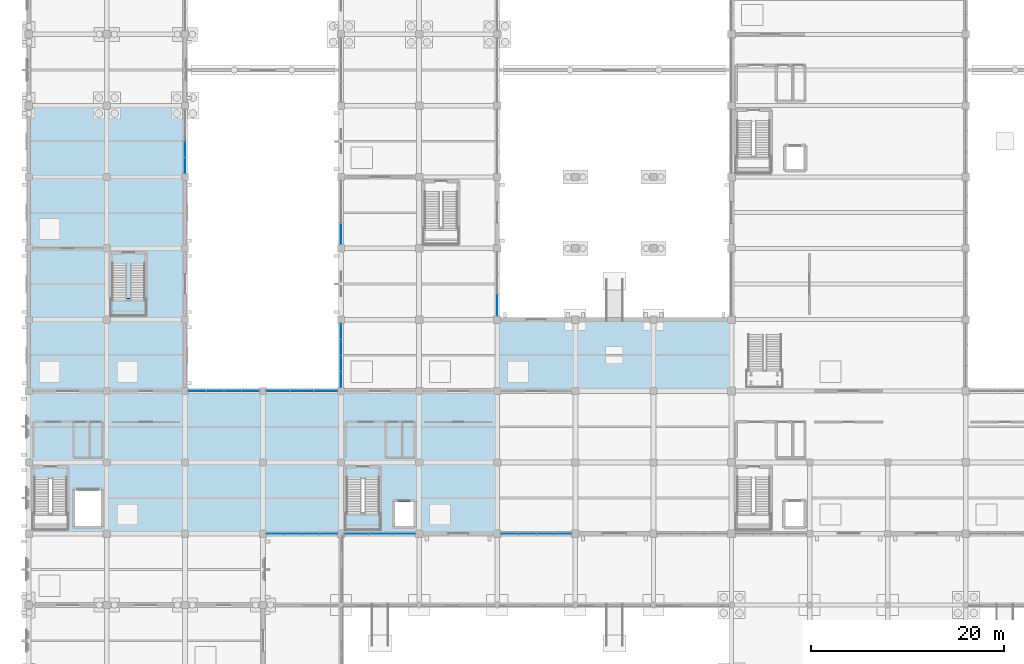
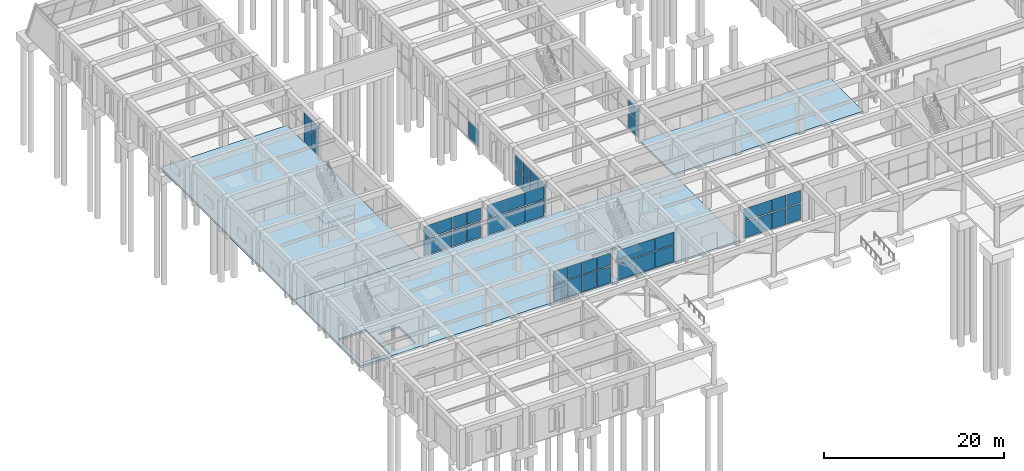
# One storey, part 111 of 140: 51 plates, 5 slabs, 11 elements without a shape of their own.
"""IFC4 building model written with IfcOpenShell, lengths in metres."""

from ifc_helpers import new_model, si_unit, direction, frame, origin, origin_2d, place, context, subcontext, project, spatial, polyline, rectangle, outline, extrude, material, layer, layer_set, type_object, element, aggregate, save


model = new_model("IFC4")

# Units and contexts
model_context = context("Model", 3, precision=1e-05, world=origin(), true_north=direction((0.0, 1.0)))
body_context = subcontext(model_context, "Body", "Model", "MODEL_VIEW")
ifc_project = project(units=[si_unit("LENGTHUNIT", "METRE"), si_unit("AREAUNIT", "SQUARE_METRE"), si_unit("VOLUMEUNIT", "CUBIC_METRE"), si_unit("PLANEANGLEUNIT", "RADIAN"), si_unit("MASSUNIT", "GRAM", prefix="KILO")], contexts=[model_context])

# Site, building, storey
site_placement = place(None, origin())
site = spatial("IfcSite", under=ifc_project, at=site_placement, CompositionType="ELEMENT")
building_placement = place(site_placement, origin())
building = spatial("IfcBuilding", under=site, at=building_placement, Name="Cimatlan Art Gallery", CompositionType="ELEMENT")
storey_placement = place(building_placement, origin())
storey = spatial("IfcBuildingStorey", under=building, at=storey_placement, Name="L00", CompositionType="ELEMENT", Elevation=0.0)

# Curtain wall, plates
ifc_material_1 = material(Name="Anodised bronze unitised curtain wall")
curtain_wall_type_1 = type_object("IfcCurtainWallType", Name="CW-V-06642X04195-B4", PredefinedType="NOTDEFINED", material=ifc_material_1)
curtain_wall_1_placement = place(storey_placement, origin())
curtain_wall_1 = element("IfcCurtainWall", 1, at=curtain_wall_1_placement, inside=storey, type_object=curtain_wall_type_1, Name="CW-L00-01-08-E", PredefinedType="NOTDEFINED")
ifc_material_2 = material(Name="Low-E insulated double glazing", Category="glass")
ifc_layer_1 = layer(ifc_material_2, 0.028076171875)
ifc_layer_set_1 = layer_set([ifc_layer_1], Name="Low-E insulated double glazing")
plate_type_1 = type_object("IfcPlateType", Name="PNL-1603X1662", PredefinedType="CURTAIN_PANEL", material=ifc_layer_set_1)
plate_1_placement = place(storey_placement, frame((18.199951171875, 63.769775390625, 2.4111328125), z_axis=(0.0, 0.0, 1.0), x_axis=(0.0, -1.0, 0.0)))
plate_1 = element("IfcPlate", 2, at=plate_1_placement, type_object=plate_type_1, Name="CW-L00-01-08-E-P32", PredefinedType="CURTAIN_PANEL", context=body_context, shape_type="SweptSolid", body=[
    extrude(rectangle(XDim=1.60302734375, YDim=0.028076171875, at=origin_2d()), origin(), (0.0, 0.0, 1.0), 1.662109375),
])
plate_2_placement = place(storey_placement, frame((18.199951171875, 62.109130859375, 2.4111328125), z_axis=(0.0, 0.0, 1.0), x_axis=(0.0, -1.0, 0.0)))
plate_2 = element("IfcPlate", 3, at=plate_2_placement, type_object=plate_type_1, Name="CW-L00-01-08-E-P42", PredefinedType="CURTAIN_PANEL", context=body_context, shape_type="SweptSolid", body=[
    extrude(rectangle(XDim=1.60302734375, YDim=0.028076171875, at=origin_2d()), origin(), (0.0, 0.0, 1.0), 1.662109375),
])

curtain_wall_2_placement = place(storey_placement, origin())
curtain_wall_2 = element("IfcCurtainWall", 4, at=curtain_wall_2_placement, inside=storey, type_object=curtain_wall_type_1, Name="CW-L00-04-05-W", PredefinedType="NOTDEFINED")
plate_3_placement = place(storey_placement, frame((34.39990234375, 39.9091796875, 2.4111328125), z_axis=(0.0, 0.0, 1.0), x_axis=(0.0, 1.0, 0.0)))
plate_3 = element("IfcPlate", 5, at=plate_3_placement, type_object=plate_type_1, Name="CW-L00-04-05-W-P12", PredefinedType="CURTAIN_PANEL", context=body_context, shape_type="SweptSolid", body=[
    extrude(rectangle(XDim=1.60302734375, YDim=0.028076171875, at=origin_2d()), origin(), (0.0, 0.0, 1.0), 1.662109375),
])
plate_4_placement = place(storey_placement, frame((34.39990234375, 41.56982421875, 2.4111328125), z_axis=(0.0, 0.0, 1.0), x_axis=(0.0, 1.0, 0.0)))
plate_4 = element("IfcPlate", 6, at=plate_4_placement, type_object=plate_type_1, Name="CW-L00-04-05-W-P22", PredefinedType="CURTAIN_PANEL", context=body_context, shape_type="SweptSolid", body=[
    extrude(rectangle(XDim=1.60302734375, YDim=0.028076171875, at=origin_2d()), origin(), (0.0, 0.0, 1.0), 1.662109375),
])
plate_5_placement = place(storey_placement, frame((34.39990234375, 43.230224609375, 2.4111328125), z_axis=(0.0, 0.0, 1.0), x_axis=(0.0, 1.0, 0.0)))
plate_5 = element("IfcPlate", 7, at=plate_5_placement, type_object=plate_type_1, Name="CW-L00-04-05-W-P32", PredefinedType="CURTAIN_PANEL", context=body_context, shape_type="SweptSolid", body=[
    extrude(rectangle(XDim=1.60302734375, YDim=0.028076171875, at=origin_2d()), origin(), (0.0, 0.0, 1.0), 1.662109375),
])
plate_6_placement = place(storey_placement, frame((34.39990234375, 44.890869140625, 2.4111328125), z_axis=(0.0, 0.0, 1.0), x_axis=(0.0, 1.0, 0.0)))
plate_6 = element("IfcPlate", 8, at=plate_6_placement, type_object=plate_type_1, Name="CW-L00-04-05-W-P42", PredefinedType="CURTAIN_PANEL", context=body_context, shape_type="SweptSolid", body=[
    extrude(rectangle(XDim=1.60302734375, YDim=0.028076171875, at=origin_2d()), origin(), (0.0, 0.0, 1.0), 1.662109375),
])

# Plate
ifc_layer_2 = layer(ifc_material_2, 0.028076171875)
ifc_layer_set_2 = layer_set([ifc_layer_2], Name="Low-E insulated double glazing")
plate_type_2 = type_object("IfcPlateType", Name="PNL-1603X2165", PredefinedType="CURTAIN_PANEL", material=ifc_layer_set_2)
plate_7_placement = place(storey_placement, frame((18.199951171875, 63.769775390625, 0.1220703125), z_axis=(0.0, 0.0, 1.0), x_axis=(0.0, -1.0, 0.0)))
plate_7 = element("IfcPlate", 9, at=plate_7_placement, type_object=plate_type_2, Name="CW-L00-01-08-E-P31", PredefinedType="CURTAIN_PANEL", context=body_context, shape_type="SweptSolid", body=[
    extrude(rectangle(XDim=1.60302734375, YDim=0.028076171875, at=origin_2d()), origin(), (0.0, 0.0, 1.0), 2.1650390625),
])

plate_8_placement = place(storey_placement, frame((18.199951171875, 62.109130859375, 0.1220703125), z_axis=(0.0, 0.0, 1.0), x_axis=(0.0, -1.0, 0.0)))
plate_8 = element("IfcPlate", 10, at=plate_8_placement, type_object=plate_type_2, Name="CW-L00-01-08-E-P41", PredefinedType="CURTAIN_PANEL", context=body_context, shape_type="SweptSolid", body=[
    extrude(rectangle(XDim=1.60302734375, YDim=0.028076171875, at=origin_2d()), origin(), (0.0, 0.0, 1.0), 2.1650390625),
])

aggregate(curtain_wall_1, [plate_7, plate_1, plate_8, plate_2])

plate_9_placement = place(storey_placement, frame((34.39990234375, 39.9091796875, 0.1220703125), z_axis=(0.0, 0.0, 1.0), x_axis=(0.0, 1.0, 0.0)))
plate_9 = element("IfcPlate", 11, at=plate_9_placement, type_object=plate_type_2, Name="CW-L00-04-05-W-P11", PredefinedType="CURTAIN_PANEL", context=body_context, shape_type="SweptSolid", body=[
    extrude(rectangle(XDim=1.60302734375, YDim=0.028076171875, at=origin_2d()), origin(), (0.0, 0.0, 1.0), 2.1650390625),
])

plate_10_placement = place(storey_placement, frame((34.39990234375, 41.56982421875, 0.1220703125), z_axis=(0.0, 0.0, 1.0), x_axis=(0.0, 1.0, 0.0)))
plate_10 = element("IfcPlate", 12, at=plate_10_placement, type_object=plate_type_2, Name="CW-L00-04-05-W-P21", PredefinedType="CURTAIN_PANEL", context=body_context, shape_type="SweptSolid", body=[
    extrude(rectangle(XDim=1.60302734375, YDim=0.028076171875, at=origin_2d()), origin(), (0.0, 0.0, 1.0), 2.1650390625),
])

plate_11_placement = place(storey_placement, frame((34.39990234375, 43.230224609375, 0.1220703125), z_axis=(0.0, 0.0, 1.0), x_axis=(0.0, 1.0, 0.0)))
plate_11 = element("IfcPlate", 13, at=plate_11_placement, type_object=plate_type_2, Name="CW-L00-04-05-W-P31", PredefinedType="CURTAIN_PANEL", context=body_context, shape_type="SweptSolid", body=[
    extrude(rectangle(XDim=1.60302734375, YDim=0.028076171875, at=origin_2d()), origin(), (0.0, 0.0, 1.0), 2.1650390625),
])

plate_12_placement = place(storey_placement, frame((34.39990234375, 44.890869140625, 0.1220703125), z_axis=(0.0, 0.0, 1.0), x_axis=(0.0, 1.0, 0.0)))
plate_12 = element("IfcPlate", 14, at=plate_12_placement, type_object=plate_type_2, Name="CW-L00-04-05-W-P41", PredefinedType="CURTAIN_PANEL", context=body_context, shape_type="SweptSolid", body=[
    extrude(rectangle(XDim=1.60302734375, YDim=0.028076171875, at=origin_2d()), origin(), (0.0, 0.0, 1.0), 2.1650390625),
])

aggregate(curtain_wall_2, [plate_9, plate_3, plate_10, plate_4, plate_11, plate_5, plate_12, plate_6])

# Curtain wall, plates
curtain_wall_type_2 = type_object("IfcCurtainWallType", Name="CW-V-07342X04210-B4", PredefinedType="NOTDEFINED", material=ifc_material_1)
curtain_wall_3_placement = place(storey_placement, origin())
curtain_wall_3 = element("IfcCurtainWall", 15, at=curtain_wall_3_placement, inside=storey, type_object=curtain_wall_type_2, Name="CW-L00-02-04-N", PredefinedType="NOTDEFINED")
ifc_layer_3 = layer(ifc_material_2, 0.028076171875)
ifc_layer_set_3 = layer_set([ifc_layer_3], Name="Low-E insulated double glazing")
plate_type_3 = type_object("IfcPlateType", Name="PNL-1777X1668", PredefinedType="CURTAIN_PANEL", material=ifc_layer_set_3)
plate_13_placement = place(storey_placement, frame((19.496826171875, 38.699951171875, 2.419921875), z_axis=(0.0, 0.0, 1.0), x_axis=(1.0, 0.0, 0.0)))
plate_13 = element("IfcPlate", 16, at=plate_13_placement, type_object=plate_type_3, Name="CW-L00-02-04-N-P12", PredefinedType="CURTAIN_PANEL", context=body_context, shape_type="SweptSolid", body=[
    extrude(rectangle(XDim=1.777099609375, YDim=0.028076171875, at=origin_2d()), origin(), (0.0, 0.0, 1.0), 1.66796875),
])
plate_14_placement = place(storey_placement, frame((21.332275390625, 38.699951171875, 2.419921875), z_axis=(0.0, 0.0, 1.0), x_axis=(1.0, 0.0, 0.0)))
plate_14 = element("IfcPlate", 17, at=plate_14_placement, type_object=plate_type_3, Name="CW-L00-02-04-N-P22", PredefinedType="CURTAIN_PANEL", context=body_context, shape_type="SweptSolid", body=[
    extrude(rectangle(XDim=1.777099609375, YDim=0.028076171875, at=origin_2d()), origin(), (0.0, 0.0, 1.0), 1.66796875),
])
plate_15_placement = place(storey_placement, frame((23.167724609375, 38.699951171875, 2.419921875), z_axis=(0.0, 0.0, 1.0), x_axis=(1.0, 0.0, 0.0)))
plate_15 = element("IfcPlate", 18, at=plate_15_placement, type_object=plate_type_3, Name="CW-L00-02-04-N-P32", PredefinedType="CURTAIN_PANEL", context=body_context, shape_type="SweptSolid", body=[
    extrude(rectangle(XDim=1.777099609375, YDim=0.028076171875, at=origin_2d()), origin(), (0.0, 0.0, 1.0), 1.66796875),
])
plate_16_placement = place(storey_placement, frame((25.003173828125, 38.699951171875, 2.419921875), z_axis=(0.0, 0.0, 1.0), x_axis=(1.0, 0.0, 0.0)))
plate_16 = element("IfcPlate", 19, at=plate_16_placement, type_object=plate_type_3, Name="CW-L00-02-04-N-P42", PredefinedType="CURTAIN_PANEL", context=body_context, shape_type="SweptSolid", body=[
    extrude(rectangle(XDim=1.777099609375, YDim=0.028076171875, at=origin_2d()), origin(), (0.0, 0.0, 1.0), 1.66796875),
])

curtain_wall_type_3 = type_object("IfcCurtainWallType", Name="CW-V-07342X04225-B4", PredefinedType="NOTDEFINED", material=ifc_material_1)
curtain_wall_4_placement = place(storey_placement, origin())
curtain_wall_4 = element("IfcCurtainWall", 20, at=curtain_wall_4_placement, inside=storey, type_object=curtain_wall_type_3, Name="CW-L00-06-03-S", PredefinedType="NOTDEFINED")
ifc_layer_4 = layer(ifc_material_2, 0.028076171875)
ifc_layer_set_4 = layer_set([ifc_layer_4], Name="Low-E insulated double glazing")
plate_type_4 = type_object("IfcPlateType", Name="PNL-1777X1675", PredefinedType="CURTAIN_PANEL", material=ifc_layer_set_4)
plate_17_placement = place(storey_placement, frame((57.4033203125, 23.89990234375, 2.427734375), z_axis=(0.0, 0.0, 1.0), x_axis=(-1.0, 0.0, 0.0)))
plate_17 = element("IfcPlate", 21, at=plate_17_placement, type_object=plate_type_4, Name="CW-L00-06-03-S-P12", PredefinedType="CURTAIN_PANEL", context=body_context, shape_type="SweptSolid", body=[
    extrude(rectangle(XDim=1.777099609375, YDim=0.028076171875, at=origin_2d()), origin(), (0.0, 0.0, 1.0), 1.675048828125),
])
plate_18_placement = place(storey_placement, frame((55.56787109375, 23.89990234375, 2.427734375), z_axis=(0.0, 0.0, 1.0), x_axis=(-1.0, 0.0, 0.0)))
plate_18 = element("IfcPlate", 22, at=plate_18_placement, type_object=plate_type_4, Name="CW-L00-06-03-S-P22", PredefinedType="CURTAIN_PANEL", context=body_context, shape_type="SweptSolid", body=[
    extrude(rectangle(XDim=1.777099609375, YDim=0.028076171875, at=origin_2d()), origin(), (0.0, 0.0, 1.0), 1.675048828125),
])
plate_19_placement = place(storey_placement, frame((53.732177734375, 23.89990234375, 2.427734375), z_axis=(0.0, 0.0, 1.0), x_axis=(-1.0, 0.0, 0.0)))
plate_19 = element("IfcPlate", 23, at=plate_19_placement, type_object=plate_type_4, Name="CW-L00-06-03-S-P32", PredefinedType="CURTAIN_PANEL", context=body_context, shape_type="SweptSolid", body=[
    extrude(rectangle(XDim=1.777099609375, YDim=0.028076171875, at=origin_2d()), origin(), (0.0, 0.0, 1.0), 1.675048828125),
])
plate_20_placement = place(storey_placement, frame((51.896728515625, 23.89990234375, 2.427734375), z_axis=(0.0, 0.0, 1.0), x_axis=(-1.0, 0.0, 0.0)))
plate_20 = element("IfcPlate", 24, at=plate_20_placement, type_object=plate_type_4, Name="CW-L00-06-03-S-P42", PredefinedType="CURTAIN_PANEL", context=body_context, shape_type="SweptSolid", body=[
    extrude(rectangle(XDim=1.777099609375, YDim=0.028076171875, at=origin_2d()), origin(), (0.0, 0.0, 1.0), 1.675048828125),
])

curtain_wall_type_4 = type_object("IfcCurtainWallType", Name="CW-V-07342X04270-B4", PredefinedType="NOTDEFINED", material=ifc_material_1)
curtain_wall_5_placement = place(storey_placement, origin())
curtain_wall_5 = element("IfcCurtainWall", 25, at=curtain_wall_5_placement, inside=storey, type_object=curtain_wall_type_4, Name="CW-L00-03-03-S", PredefinedType="NOTDEFINED")
ifc_layer_5 = layer(ifc_material_2, 0.028076171875)
ifc_layer_set_5 = layer_set([ifc_layer_5], Name="Low-E insulated double glazing")
plate_type_5 = type_object("IfcPlateType", Name="PNL-1777X1695", PredefinedType="CURTAIN_PANEL", material=ifc_layer_set_5)
plate_21_placement = place(storey_placement, frame((33.103271484375, 23.89990234375, 2.453125), z_axis=(0.0, 0.0, 1.0), x_axis=(-1.0, 0.0, 0.0)))
plate_21 = element("IfcPlate", 26, at=plate_21_placement, type_object=plate_type_5, Name="CW-L00-03-03-S-P12", PredefinedType="CURTAIN_PANEL", context=body_context, shape_type="SweptSolid", body=[
    extrude(rectangle(XDim=1.777099609375, YDim=0.028076171875, at=origin_2d()), origin(), (0.0, 0.0, 1.0), 1.695068359375),
])
plate_22_placement = place(storey_placement, frame((31.267822265625, 23.89990234375, 2.453125), z_axis=(0.0, 0.0, 1.0), x_axis=(-1.0, 0.0, 0.0)))
plate_22 = element("IfcPlate", 27, at=plate_22_placement, type_object=plate_type_5, Name="CW-L00-03-03-S-P22", PredefinedType="CURTAIN_PANEL", context=body_context, shape_type="SweptSolid", body=[
    extrude(rectangle(XDim=1.777099609375, YDim=0.028076171875, at=origin_2d()), origin(), (0.0, 0.0, 1.0), 1.695068359375),
])
plate_23_placement = place(storey_placement, frame((29.43212890625, 23.89990234375, 2.453125), z_axis=(0.0, 0.0, 1.0), x_axis=(-1.0, 0.0, 0.0)))
plate_23 = element("IfcPlate", 28, at=plate_23_placement, type_object=plate_type_5, Name="CW-L00-03-03-S-P32", PredefinedType="CURTAIN_PANEL", context=body_context, shape_type="SweptSolid", body=[
    extrude(rectangle(XDim=1.777099609375, YDim=0.028076171875, at=origin_2d()), origin(), (0.0, 0.0, 1.0), 1.695068359375),
])
plate_24_placement = place(storey_placement, frame((27.5966796875, 23.89990234375, 2.453125), z_axis=(0.0, 0.0, 1.0), x_axis=(-1.0, 0.0, 0.0)))
plate_24 = element("IfcPlate", 29, at=plate_24_placement, type_object=plate_type_5, Name="CW-L00-03-03-S-P42", PredefinedType="CURTAIN_PANEL", context=body_context, shape_type="SweptSolid", body=[
    extrude(rectangle(XDim=1.777099609375, YDim=0.028076171875, at=origin_2d()), origin(), (0.0, 0.0, 1.0), 1.695068359375),
])

# Plate
ifc_layer_6 = layer(ifc_material_2, 0.028076171875)
ifc_layer_set_6 = layer_set([ifc_layer_6], Name="Low-E insulated double glazing")
plate_type_6 = type_object("IfcPlateType", Name="PNL-1777X2174", PredefinedType="CURTAIN_PANEL", material=ifc_layer_set_6)
plate_25_placement = place(storey_placement, frame((19.496826171875, 38.699951171875, 0.12158203125), z_axis=(0.0, 0.0, 1.0), x_axis=(1.0, 0.0, 0.0)))
plate_25 = element("IfcPlate", 30, at=plate_25_placement, type_object=plate_type_6, Name="CW-L00-02-04-N-P11", PredefinedType="CURTAIN_PANEL", context=body_context, shape_type="SweptSolid", body=[
    extrude(rectangle(XDim=1.777099609375, YDim=0.028076171875, at=origin_2d()), origin(), (0.0, 0.0, 1.0), 2.174072265625),
])

plate_26_placement = place(storey_placement, frame((21.332275390625, 38.699951171875, 0.12158203125), z_axis=(0.0, 0.0, 1.0), x_axis=(1.0, 0.0, 0.0)))
plate_26 = element("IfcPlate", 31, at=plate_26_placement, type_object=plate_type_6, Name="CW-L00-02-04-N-P21", PredefinedType="CURTAIN_PANEL", context=body_context, shape_type="SweptSolid", body=[
    extrude(rectangle(XDim=1.777099609375, YDim=0.028076171875, at=origin_2d()), origin(), (0.0, 0.0, 1.0), 2.174072265625),
])

plate_27_placement = place(storey_placement, frame((23.167724609375, 38.699951171875, 0.12158203125), z_axis=(0.0, 0.0, 1.0), x_axis=(1.0, 0.0, 0.0)))
plate_27 = element("IfcPlate", 32, at=plate_27_placement, type_object=plate_type_6, Name="CW-L00-02-04-N-P31", PredefinedType="CURTAIN_PANEL", context=body_context, shape_type="SweptSolid", body=[
    extrude(rectangle(XDim=1.777099609375, YDim=0.028076171875, at=origin_2d()), origin(), (0.0, 0.0, 1.0), 2.174072265625),
])

plate_28_placement = place(storey_placement, frame((25.003173828125, 38.699951171875, 0.12158203125), z_axis=(0.0, 0.0, 1.0), x_axis=(1.0, 0.0, 0.0)))
plate_28 = element("IfcPlate", 33, at=plate_28_placement, type_object=plate_type_6, Name="CW-L00-02-04-N-P41", PredefinedType="CURTAIN_PANEL", context=body_context, shape_type="SweptSolid", body=[
    extrude(rectangle(XDim=1.777099609375, YDim=0.028076171875, at=origin_2d()), origin(), (0.0, 0.0, 1.0), 2.174072265625),
])

aggregate(curtain_wall_3, [plate_25, plate_13, plate_26, plate_14, plate_27, plate_15, plate_28, plate_16])

ifc_layer_7 = layer(ifc_material_2, 0.028076171875)
ifc_layer_set_7 = layer_set([ifc_layer_7], Name="Low-E insulated double glazing")
plate_type_7 = type_object("IfcPlateType", Name="PNL-1777X2182", PredefinedType="CURTAIN_PANEL", material=ifc_layer_set_7)
plate_29_placement = place(storey_placement, frame((57.4033203125, 23.89990234375, 0.1220703125), z_axis=(0.0, 0.0, 1.0), x_axis=(-1.0, 0.0, 0.0)))
plate_29 = element("IfcPlate", 34, at=plate_29_placement, type_object=plate_type_7, Name="CW-L00-06-03-S-P11", PredefinedType="CURTAIN_PANEL", context=body_context, shape_type="SweptSolid", body=[
    extrude(rectangle(XDim=1.777099609375, YDim=0.028076171875, at=origin_2d()), origin(), (0.0, 0.0, 1.0), 2.181884765625),
])

plate_30_placement = place(storey_placement, frame((55.56787109375, 23.89990234375, 0.1220703125), z_axis=(0.0, 0.0, 1.0), x_axis=(-1.0, 0.0, 0.0)))
plate_30 = element("IfcPlate", 35, at=plate_30_placement, type_object=plate_type_7, Name="CW-L00-06-03-S-P21", PredefinedType="CURTAIN_PANEL", context=body_context, shape_type="SweptSolid", body=[
    extrude(rectangle(XDim=1.777099609375, YDim=0.028076171875, at=origin_2d()), origin(), (0.0, 0.0, 1.0), 2.181884765625),
])

plate_31_placement = place(storey_placement, frame((53.732177734375, 23.89990234375, 0.1220703125), z_axis=(0.0, 0.0, 1.0), x_axis=(-1.0, 0.0, 0.0)))
plate_31 = element("IfcPlate", 36, at=plate_31_placement, type_object=plate_type_7, Name="CW-L00-06-03-S-P31", PredefinedType="CURTAIN_PANEL", context=body_context, shape_type="SweptSolid", body=[
    extrude(rectangle(XDim=1.777099609375, YDim=0.028076171875, at=origin_2d()), origin(), (0.0, 0.0, 1.0), 2.181884765625),
])

plate_32_placement = place(storey_placement, frame((51.896728515625, 23.89990234375, 0.1220703125), z_axis=(0.0, 0.0, 1.0), x_axis=(-1.0, 0.0, 0.0)))
plate_32 = element("IfcPlate", 37, at=plate_32_placement, type_object=plate_type_7, Name="CW-L00-06-03-S-P41", PredefinedType="CURTAIN_PANEL", context=body_context, shape_type="SweptSolid", body=[
    extrude(rectangle(XDim=1.777099609375, YDim=0.028076171875, at=origin_2d()), origin(), (0.0, 0.0, 1.0), 2.181884765625),
])

aggregate(curtain_wall_4, [plate_29, plate_17, plate_30, plate_18, plate_31, plate_19, plate_32, plate_20])

ifc_layer_8 = layer(ifc_material_2, 0.028076171875)
ifc_layer_set_8 = layer_set([ifc_layer_8], Name="Low-E insulated double glazing")
plate_type_8 = type_object("IfcPlateType", Name="PNL-1777X2207", PredefinedType="CURTAIN_PANEL", material=ifc_layer_set_8)
plate_33_placement = place(storey_placement, frame((33.103271484375, 23.89990234375, 0.1220703125), z_axis=(0.0, 0.0, 1.0), x_axis=(-1.0, 0.0, 0.0)))
plate_33 = element("IfcPlate", 38, at=plate_33_placement, type_object=plate_type_8, Name="CW-L00-03-03-S-P11", PredefinedType="CURTAIN_PANEL", context=body_context, shape_type="SweptSolid", body=[
    extrude(rectangle(XDim=1.777099609375, YDim=0.028076171875, at=origin_2d()), origin(), (0.0, 0.0, 1.0), 2.20703125),
])

plate_34_placement = place(storey_placement, frame((31.267822265625, 23.89990234375, 0.1220703125), z_axis=(0.0, 0.0, 1.0), x_axis=(-1.0, 0.0, 0.0)))
plate_34 = element("IfcPlate", 39, at=plate_34_placement, type_object=plate_type_8, Name="CW-L00-03-03-S-P21", PredefinedType="CURTAIN_PANEL", context=body_context, shape_type="SweptSolid", body=[
    extrude(rectangle(XDim=1.777099609375, YDim=0.028076171875, at=origin_2d()), origin(), (0.0, 0.0, 1.0), 2.20703125),
])

plate_35_placement = place(storey_placement, frame((29.43212890625, 23.89990234375, 0.1220703125), z_axis=(0.0, 0.0, 1.0), x_axis=(-1.0, 0.0, 0.0)))
plate_35 = element("IfcPlate", 40, at=plate_35_placement, type_object=plate_type_8, Name="CW-L00-03-03-S-P31", PredefinedType="CURTAIN_PANEL", context=body_context, shape_type="SweptSolid", body=[
    extrude(rectangle(XDim=1.777099609375, YDim=0.028076171875, at=origin_2d()), origin(), (0.0, 0.0, 1.0), 2.20703125),
])

plate_36_placement = place(storey_placement, frame((27.5966796875, 23.89990234375, 0.1220703125), z_axis=(0.0, 0.0, 1.0), x_axis=(-1.0, 0.0, 0.0)))
plate_36 = element("IfcPlate", 41, at=plate_36_placement, type_object=plate_type_8, Name="CW-L00-03-03-S-P41", PredefinedType="CURTAIN_PANEL", context=body_context, shape_type="SweptSolid", body=[
    extrude(rectangle(XDim=1.777099609375, YDim=0.028076171875, at=origin_2d()), origin(), (0.0, 0.0, 1.0), 2.20703125),
])

aggregate(curtain_wall_5, [plate_33, plate_21, plate_34, plate_22, plate_35, plate_23, plate_36, plate_24])

# Curtain wall, plates
curtain_wall_type_5 = type_object("IfcCurtainWallType", Name="CW-V-06642X04225-B3", PredefinedType="NOTDEFINED", material=ifc_material_1)
curtain_wall_6_placement = place(storey_placement, origin())
curtain_wall_6 = element("IfcCurtainWall", 42, at=curtain_wall_6_placement, inside=storey, type_object=curtain_wall_type_5, Name="CW-L00-05-06-E", PredefinedType="NOTDEFINED")
ifc_layer_9 = layer(ifc_material_2, 0.028076171875)
ifc_layer_set_9 = layer_set([ifc_layer_9], Name="Low-E insulated double glazing")
plate_type_9 = type_object("IfcPlateType", Name="PNL-2156X1675", PredefinedType="CURTAIN_PANEL", material=ifc_layer_set_9)
plate_37_placement = place(storey_placement, frame((50.60009765625, 47.5859375, 2.427734375), z_axis=(0.0, 0.0, 1.0), x_axis=(0.0, -1.0, 0.0)))
plate_37 = element("IfcPlate", 43, at=plate_37_placement, type_object=plate_type_9, Name="CW-L00-05-06-E-P32", PredefinedType="CURTAIN_PANEL", context=body_context, shape_type="SweptSolid", body=[
    extrude(rectangle(XDim=2.156005859375, YDim=0.028076171875, at=origin_2d()), origin(), (0.0, 0.0, 1.0), 1.675048828125),
])
ifc_layer_10 = layer(ifc_material_2, 0.028076171875)
ifc_layer_set_10 = layer_set([ifc_layer_10], Name="Low-E insulated double glazing")
plate_type_10 = type_object("IfcPlateType", Name="PNL-2156X2182", PredefinedType="CURTAIN_PANEL", material=ifc_layer_set_10)
plate_38_placement = place(storey_placement, frame((50.60009765625, 47.5859375, 0.1220703125), z_axis=(0.0, 0.0, 1.0), x_axis=(0.0, -1.0, 0.0)))
plate_38 = element("IfcPlate", 44, at=plate_38_placement, type_object=plate_type_10, Name="CW-L00-05-06-E-P31", PredefinedType="CURTAIN_PANEL", context=body_context, shape_type="SweptSolid", body=[
    extrude(rectangle(XDim=2.156005859375, YDim=0.028076171875, at=origin_2d()), origin(), (0.0, 0.0, 1.0), 2.181884765625),
])
aggregate(curtain_wall_6, [plate_38, plate_37])

# Curtain wall, plate
curtain_wall_type_6 = type_object("IfcCurtainWallType", Name="CW-V-06642X04255-B3", PredefinedType="NOTDEFINED", material=ifc_material_1)
curtain_wall_7_placement = place(storey_placement, origin())
curtain_wall_7 = element("IfcCurtainWall", 45, at=curtain_wall_7_placement, inside=storey, type_object=curtain_wall_type_6, Name="CW-L00-04-07-W", PredefinedType="NOTDEFINED")
ifc_layer_11 = layer(ifc_material_2, 0.028076171875)
ifc_layer_set_11 = layer_set([ifc_layer_11], Name="Low-E insulated double glazing")
plate_type_11 = type_object("IfcPlateType", Name="PNL-2156X2199", PredefinedType="CURTAIN_PANEL", material=ifc_layer_set_11)
plate_39_placement = place(storey_placement, frame((34.39990234375, 54.986083984375, 0.1220703125), z_axis=(0.0, 0.0, 1.0), x_axis=(0.0, 1.0, 0.0)))
plate_39 = element("IfcPlate", 46, at=plate_39_placement, type_object=plate_type_11, Name="CW-L00-04-07-W-P11", PredefinedType="CURTAIN_PANEL", context=body_context, shape_type="SweptSolid", body=[
    extrude(rectangle(XDim=2.156005859375, YDim=0.028076171875, at=origin_2d()), origin(), (0.0, 0.0, 1.0), 2.198974609375),
])
aggregate(curtain_wall_7, [plate_39])

# Curtain wall, plates
curtain_wall_type_7 = type_object("IfcCurtainWallType", Name="CW-V-07342X04225-B3", PredefinedType="NOTDEFINED", material=ifc_material_1)
curtain_wall_8_placement = place(storey_placement, origin())
curtain_wall_8 = element("IfcCurtainWall", 47, at=curtain_wall_8_placement, inside=storey, type_object=curtain_wall_type_7, Name="CW-L00-04-03-S", PredefinedType="NOTDEFINED")
ifc_layer_12 = layer(ifc_material_2, 0.028076171875)
ifc_layer_set_12 = layer_set([ifc_layer_12], Name="Low-E insulated double glazing")
plate_type_12 = type_object("IfcPlateType", Name="PNL-2389X1675", PredefinedType="CURTAIN_PANEL", material=ifc_layer_set_12)
plate_40_placement = place(storey_placement, frame((40.897216796875, 23.89990234375, 2.427734375), z_axis=(0.0, 0.0, 1.0), x_axis=(-1.0, 0.0, 0.0)))
plate_40 = element("IfcPlate", 48, at=plate_40_placement, type_object=plate_type_12, Name="CW-L00-04-03-S-P12", PredefinedType="CURTAIN_PANEL", context=body_context, shape_type="SweptSolid", body=[
    extrude(rectangle(XDim=2.388916015625, YDim=0.028076171875, at=origin_2d()), origin(), (0.0, 0.0, 1.0), 1.675048828125),
])
plate_41_placement = place(storey_placement, frame((38.449951171875, 23.89990234375, 2.427734375), z_axis=(0.0, 0.0, 1.0), x_axis=(-1.0, 0.0, 0.0)))
plate_41 = element("IfcPlate", 49, at=plate_41_placement, type_object=plate_type_12, Name="CW-L00-04-03-S-P22", PredefinedType="CURTAIN_PANEL", context=body_context, shape_type="SweptSolid", body=[
    extrude(rectangle(XDim=2.388916015625, YDim=0.028076171875, at=origin_2d()), origin(), (0.0, 0.0, 1.0), 1.675048828125),
])
plate_42_placement = place(storey_placement, frame((36.002685546875, 23.89990234375, 2.427734375), z_axis=(0.0, 0.0, 1.0), x_axis=(-1.0, 0.0, 0.0)))
plate_42 = element("IfcPlate", 50, at=plate_42_placement, type_object=plate_type_12, Name="CW-L00-04-03-S-P32", PredefinedType="CURTAIN_PANEL", context=body_context, shape_type="SweptSolid", body=[
    extrude(rectangle(XDim=2.388916015625, YDim=0.028076171875, at=origin_2d()), origin(), (0.0, 0.0, 1.0), 1.675048828125),
])

curtain_wall_type_8 = type_object("IfcCurtainWallType", Name="CW-V-07342X04255-B3", PredefinedType="NOTDEFINED", material=ifc_material_1)
curtain_wall_9_placement = place(storey_placement, origin())
curtain_wall_9 = element("IfcCurtainWall", 51, at=curtain_wall_9_placement, inside=storey, type_object=curtain_wall_type_8, Name="CW-L00-03-04-N", PredefinedType="NOTDEFINED")
ifc_layer_13 = layer(ifc_material_2, 0.028076171875)
ifc_layer_set_13 = layer_set([ifc_layer_13], Name="Low-E insulated double glazing")
plate_type_13 = type_object("IfcPlateType", Name="PNL-2389X1688", PredefinedType="CURTAIN_PANEL", material=ifc_layer_set_13)
plate_43_placement = place(storey_placement, frame((27.902587890625, 38.699951171875, 2.44482421875), z_axis=(0.0, 0.0, 1.0), x_axis=(1.0, 0.0, 0.0)))
plate_43 = element("IfcPlate", 52, at=plate_43_placement, type_object=plate_type_13, Name="CW-L00-03-04-N-P12", PredefinedType="CURTAIN_PANEL", context=body_context, shape_type="SweptSolid", body=[
    extrude(rectangle(XDim=2.388916015625, YDim=0.028076171875, at=origin_2d()), origin(), (0.0, 0.0, 1.0), 1.68798828125),
])
plate_44_placement = place(storey_placement, frame((30.35009765625, 38.699951171875, 2.44482421875), z_axis=(0.0, 0.0, 1.0), x_axis=(1.0, 0.0, 0.0)))
plate_44 = element("IfcPlate", 53, at=plate_44_placement, type_object=plate_type_13, Name="CW-L00-03-04-N-P22", PredefinedType="CURTAIN_PANEL", context=body_context, shape_type="SweptSolid", body=[
    extrude(rectangle(XDim=2.388916015625, YDim=0.028076171875, at=origin_2d()), origin(), (0.0, 0.0, 1.0), 1.68798828125),
])
plate_45_placement = place(storey_placement, frame((32.79736328125, 38.699951171875, 2.44482421875), z_axis=(0.0, 0.0, 1.0), x_axis=(1.0, 0.0, 0.0)))
plate_45 = element("IfcPlate", 54, at=plate_45_placement, type_object=plate_type_13, Name="CW-L00-03-04-N-P32", PredefinedType="CURTAIN_PANEL", context=body_context, shape_type="SweptSolid", body=[
    extrude(rectangle(XDim=2.388916015625, YDim=0.028076171875, at=origin_2d()), origin(), (0.0, 0.0, 1.0), 1.68798828125),
])

# Plate
ifc_layer_14 = layer(ifc_material_2, 0.028076171875)
ifc_layer_set_14 = layer_set([ifc_layer_14], Name="Low-E insulated double glazing")
plate_type_14 = type_object("IfcPlateType", Name="PNL-2389X2182", PredefinedType="CURTAIN_PANEL", material=ifc_layer_set_14)
plate_46_placement = place(storey_placement, frame((40.897216796875, 23.89990234375, 0.1220703125), z_axis=(0.0, 0.0, 1.0), x_axis=(-1.0, 0.0, 0.0)))
plate_46 = element("IfcPlate", 55, at=plate_46_placement, type_object=plate_type_14, Name="CW-L00-04-03-S-P11", PredefinedType="CURTAIN_PANEL", context=body_context, shape_type="SweptSolid", body=[
    extrude(rectangle(XDim=2.388916015625, YDim=0.028076171875, at=origin_2d()), origin(), (0.0, 0.0, 1.0), 2.181884765625),
])

plate_47_placement = place(storey_placement, frame((38.449951171875, 23.89990234375, 0.1220703125), z_axis=(0.0, 0.0, 1.0), x_axis=(-1.0, 0.0, 0.0)))
plate_47 = element("IfcPlate", 56, at=plate_47_placement, type_object=plate_type_14, Name="CW-L00-04-03-S-P21", PredefinedType="CURTAIN_PANEL", context=body_context, shape_type="SweptSolid", body=[
    extrude(rectangle(XDim=2.388916015625, YDim=0.028076171875, at=origin_2d()), origin(), (0.0, 0.0, 1.0), 2.181884765625),
])

plate_48_placement = place(storey_placement, frame((36.002685546875, 23.89990234375, 0.1220703125), z_axis=(0.0, 0.0, 1.0), x_axis=(-1.0, 0.0, 0.0)))
plate_48 = element("IfcPlate", 57, at=plate_48_placement, type_object=plate_type_14, Name="CW-L00-04-03-S-P31", PredefinedType="CURTAIN_PANEL", context=body_context, shape_type="SweptSolid", body=[
    extrude(rectangle(XDim=2.388916015625, YDim=0.028076171875, at=origin_2d()), origin(), (0.0, 0.0, 1.0), 2.181884765625),
])

aggregate(curtain_wall_8, [plate_46, plate_40, plate_47, plate_41, plate_48, plate_42])

ifc_layer_15 = layer(ifc_material_2, 0.028076171875)
ifc_layer_set_15 = layer_set([ifc_layer_15], Name="Low-E insulated double glazing")
plate_type_15 = type_object("IfcPlateType", Name="PNL-2389X2199", PredefinedType="CURTAIN_PANEL", material=ifc_layer_set_15)
plate_49_placement = place(storey_placement, frame((27.902587890625, 38.699951171875, 0.1220703125), z_axis=(0.0, 0.0, 1.0), x_axis=(1.0, 0.0, 0.0)))
plate_49 = element("IfcPlate", 58, at=plate_49_placement, type_object=plate_type_15, Name="CW-L00-03-04-N-P11", PredefinedType="CURTAIN_PANEL", context=body_context, shape_type="SweptSolid", body=[
    extrude(rectangle(XDim=2.388916015625, YDim=0.028076171875, at=origin_2d()), origin(), (0.0, 0.0, 1.0), 2.198974609375),
])

plate_50_placement = place(storey_placement, frame((30.35009765625, 38.699951171875, 0.1220703125), z_axis=(0.0, 0.0, 1.0), x_axis=(1.0, 0.0, 0.0)))
plate_50 = element("IfcPlate", 59, at=plate_50_placement, type_object=plate_type_15, Name="CW-L00-03-04-N-P21", PredefinedType="CURTAIN_PANEL", context=body_context, shape_type="SweptSolid", body=[
    extrude(rectangle(XDim=2.388916015625, YDim=0.028076171875, at=origin_2d()), origin(), (0.0, 0.0, 1.0), 2.198974609375),
])

plate_51_placement = place(storey_placement, frame((32.79736328125, 38.699951171875, 0.1220703125), z_axis=(0.0, 0.0, 1.0), x_axis=(1.0, 0.0, 0.0)))
plate_51 = element("IfcPlate", 60, at=plate_51_placement, type_object=plate_type_15, Name="CW-L00-03-04-N-P31", PredefinedType="CURTAIN_PANEL", context=body_context, shape_type="SweptSolid", body=[
    extrude(rectangle(XDim=2.388916015625, YDim=0.028076171875, at=origin_2d()), origin(), (0.0, 0.0, 1.0), 2.198974609375),
])

aggregate(curtain_wall_9, [plate_49, plate_43, plate_50, plate_44, plate_51, plate_45])

# Slabs
ifc_material_3 = material(Name="Concrete C35/45", Category="concrete")
ifc_layer_16 = layer(ifc_material_3, 0.280029296875)
ifc_layer_set_16 = layer_set([ifc_layer_16], Name="Concrete C35/45")
slab_type_1 = type_object("IfcSlabType", Name="SLB-FLR-L00", PredefinedType="FLOOR", material=ifc_layer_set_16)
slab_1_placement = place(storey_placement, frame((0.0, 0.0, -0.280029296875)))
element("IfcSlab", 61, at=slab_1_placement, inside=storey, type_object=slab_type_1, Name="SLB-L00-SPW", PredefinedType="FLOOR", context=body_context, shape_type="SweptSolid", body=[
    extrude(outline(polyline([(2.0, 23.89990234375), (50.60009765625, 23.89990234375), (50.60009765625, 38.699951171875), (2.0, 38.699951171875), (2.0, 23.89990234375)]), holes=[polyline([(2.5, 24.419921875), (6.02001953125, 24.419921875), (6.02001953125, 29.64990234375), (2.5, 29.64990234375), (2.5, 24.419921875)]), polyline([(6.81005859375, 24.7099609375), (9.489990234375, 24.7099609375), (9.489990234375, 28.389892578125), (6.81005859375, 28.389892578125), (6.81005859375, 24.7099609375)]), polyline([(34.89990234375, 24.419921875), (38.419921875, 24.419921875), (38.419921875, 29.64990234375), (34.89990234375, 29.64990234375), (34.89990234375, 24.419921875)]), polyline([(40.010009765625, 24.7099609375), (41.889892578125, 24.7099609375), (41.889892578125, 27.18994140625), (40.010009765625, 27.18994140625), (40.010009765625, 24.7099609375)])]), origin(), (0.0, 0.0, 1.0), 0.280029296875),
])
slab_2_placement = place(storey_placement, frame((0.0, 0.0, -0.280029296875)))
element("IfcSlab", 62, at=slab_2_placement, inside=storey, type_object=slab_type_1, Name="SLB-L00-B1S", PredefinedType="FLOOR", context=body_context, shape_type="SweptSolid", body=[
    extrude(outline(polyline([(2.0, 38.699951171875), (18.199951171875, 38.699951171875), (18.199951171875, 68.300048828125), (2.0, 68.300048828125), (2.0, 38.699951171875)])), origin(), (0.0, 0.0, 1.0), 0.280029296875),
])
slab_3_placement = place(storey_placement, frame((0.0, 0.0, -0.280029296875)))
element("IfcSlab", 63, at=slab_3_placement, inside=storey, type_object=slab_type_1, Name="SLB-L00-SCL", PredefinedType="FLOOR", context=body_context, shape_type="SweptSolid", body=[
    extrude(outline(polyline([(50.60009765625, 38.699951171875), (74.89990234375, 38.699951171875), (74.89990234375, 46.10009765625), (50.60009765625, 46.10009765625), (50.60009765625, 38.699951171875)])), origin(), (0.0, 0.0, 1.0), 0.280029296875),
])

# Stair, slab
stair_type = type_object("IfcStairType", Name="STR-HALF-155-540", PredefinedType="HALF_TURN_STAIR", material=ifc_material_3)
stair_1_placement = place(storey_placement, origin())
stair_1 = element("IfcStair", 64, at=stair_1_placement, inside=storey, type_object=stair_type, Name="STR-C2-L00", PredefinedType="HALF_TURN_STAIR")
ifc_layer_17 = layer(ifc_material_3, 0.219970703125)
ifc_layer_set_17 = layer_set([ifc_layer_17], Name="Concrete C35/45")
slab_type_2 = type_object("IfcSlabType", Name="SLB-STAIR-LAND-220", PredefinedType="LANDING", material=ifc_layer_set_17)
slab_4_placement = place(storey_placement, frame((0.0, 0.0, 2.47998046875)))
slab_4 = element("IfcSlab", 65, at=slab_4_placement, type_object=slab_type_2, Name="STR-C2-L00-LND", PredefinedType="LANDING", context=body_context, shape_type="SweptSolid", body=[
    extrude(outline(polyline([(34.75, 24.25), (38.5400390625, 24.25), (38.5400390625, 26.10498046875), (34.75, 26.10498046875), (34.75, 24.25)])), origin(), (0.0, 0.0, 1.0), 0.219970703125),
])
aggregate(stair_1, [slab_4])

stair_2_placement = place(storey_placement, origin())
stair_2 = element("IfcStair", 66, at=stair_2_placement, inside=storey, type_object=stair_type, Name="STR-C7-L00", PredefinedType="HALF_TURN_STAIR")
slab_5_placement = place(storey_placement, frame((0.0, 0.0, 2.47998046875)))
slab_5 = element("IfcSlab", 67, at=slab_5_placement, type_object=slab_type_2, Name="STR-C7-L00-LND", PredefinedType="LANDING", context=body_context, shape_type="SweptSolid", body=[
    extrude(outline(polyline([(10.449951171875, 46.449951171875), (14.239990234375, 46.449951171875), (14.239990234375, 48.304931640625), (10.449951171875, 48.304931640625), (10.449951171875, 46.449951171875)])), origin(), (0.0, 0.0, 1.0), 0.219970703125),
])
aggregate(stair_2, [slab_5])

save(model, "model.ifc")
